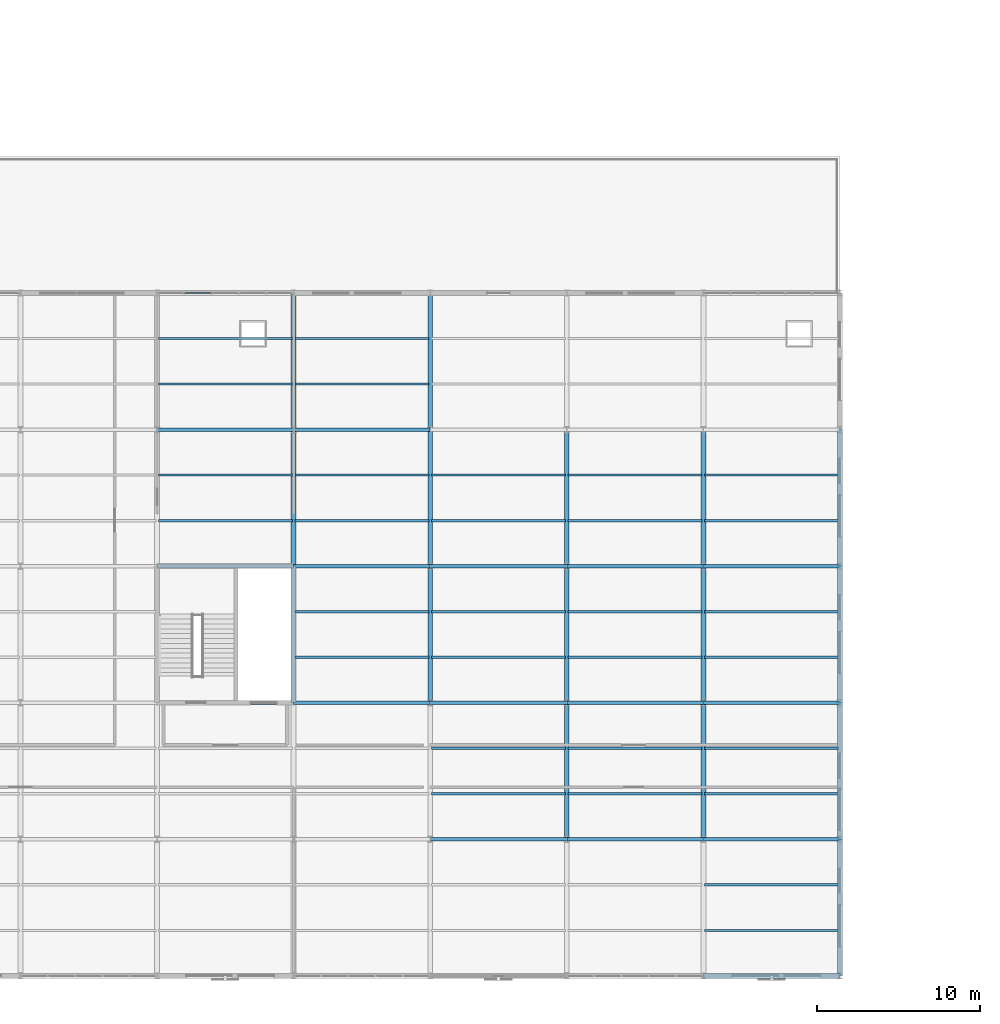
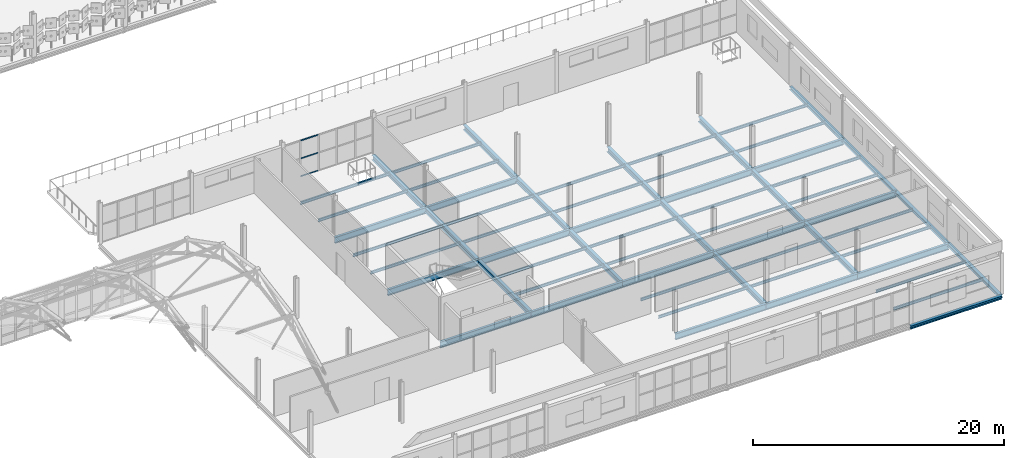
# One storey, part 123 of 184: 62 beams, 3 members, 1 element without a shape of its own.
"""IFC4 building model written with IfcOpenShell, lengths in metres."""

import ifcopenshell
import ifcopenshell.guid

model = None  # the IFC model being written
_history = None  # IfcOwnerHistory: only IFC2X3 demands one
_inside = {}  # id of a spatial element -> (the spatial element, [elements in it])
_under = {}  # id of a project, library or spatial element -> (it, [spatial elements below it])
_declared = {}  # id of a project -> (the project, [libraries it declares])
_typed = {}  # id of a type object -> (the type object, [elements of that type])
_made_of = {}  # id of a material, layer set ... -> (it, [elements and type objects made of it])


def new_model(schema):
    """Start an empty IFC model of exactly this schema.

    Asked for "IFC4X3", IfcOpenShell would pick the latest addendum, in which some entities
    have other attributes; the version numbers below select the first issue.
    IFC2X3 requires an IfcOwnerHistory on every rooted entity: one is made here for all.
    """
    global model, _history
    if schema == "IFC4X3":
        model = ifcopenshell.file(schema_version=(4, 3, 0, 0))
    else:
        model = ifcopenshell.file(schema=schema)
    _inside.clear()
    _under.clear()
    _declared.clear()
    _typed.clear()
    _made_of.clear()
    _history = None
    if model.schema == "IFC2X3":
        org = make("IfcOrganization", Name="unknown")
        user = make(
            "IfcPersonAndOrganization",
            ThePerson=make("IfcPerson", FamilyName="unknown"),
            TheOrganization=org,
        )
        app = make(
            "IfcApplication",
            ApplicationDeveloper=org,
            Version="unknown",
            ApplicationFullName="unknown",
            ApplicationIdentifier="unknown",
        )
        _history = make(
            "IfcOwnerHistory",
            OwningUser=user,
            OwningApplication=app,
            ChangeAction="ADDED",
            CreationDate=0,
        )
    return model


def make(cls, **values):
    """One entity of the class cls with the attributes given. An attribute that is None is left unset."""
    return model.create_entity(
        cls, **{name: value for name, value in values.items() if value is not None}
    )


def rooted(cls, **values):
    """An entity with a GlobalId (a new one), such as an element, a storey or a relation."""
    return make(cls, GlobalId=ifcopenshell.guid.new(), OwnerHistory=_history, **values)


def si_unit(unit_type, name, prefix=None):
    """IfcSIUnit, for example si_unit("LENGTHUNIT", "METRE", prefix="MILLI")."""
    return make("IfcSIUnit", UnitType=unit_type, Prefix=prefix, Name=name)


def assignment(units):
    """IfcUnitAssignment: the units of a project."""
    return None if units is None else make("IfcUnitAssignment", Units=units)


def point(xyz):
    """IfcCartesianPoint."""
    return None if xyz is None else make("IfcCartesianPoint", Coordinates=xyz)


def direction(xyz):
    """IfcDirection."""
    return None if xyz is None else make("IfcDirection", DirectionRatios=xyz)


def frame(location, z_axis=None, x_axis=None):
    """IfcAxis2Placement3D, a coordinate frame: its origin and axes. An axis left out is left unset."""
    return make(
        "IfcAxis2Placement3D",
        Location=point(location),
        Axis=direction(z_axis),
        RefDirection=direction(x_axis),
    )


def frame_2d(location, x_axis=None):
    """IfcAxis2Placement2D, a coordinate frame in the plane: its origin and x axis."""
    return make(
        "IfcAxis2Placement2D", Location=point(location), RefDirection=direction(x_axis)
    )


def origin():
    """The frame at (0, 0, 0) with its axes left unset."""
    return frame((0.0, 0.0, 0.0))


def origin_2d():
    """The frame at (0, 0) in the plane with its x axis left unset."""
    return frame_2d((0.0, 0.0))


def place(relative_to, where):
    """IfcLocalPlacement: puts the frame where relative to a parent placement (None: the world)."""
    return make(
        "IfcLocalPlacement", PlacementRelTo=relative_to, RelativePlacement=where
    )


def context(
    kind, dimensions, precision=None, world=None, true_north=None, identifier=None
):
    """IfcGeometricRepresentationContext, for example the 3D "Model" context."""
    return make(
        "IfcGeometricRepresentationContext",
        ContextIdentifier=identifier,
        ContextType=kind,
        CoordinateSpaceDimension=dimensions,
        Precision=precision,
        WorldCoordinateSystem=world,
        TrueNorth=true_north,
    )


def subcontext(parent, identifier, kind, view, scale=None):
    """IfcGeometricRepresentationSubContext, for example "Body" below "Model"."""
    return make(
        "IfcGeometricRepresentationSubContext",
        ContextIdentifier=identifier,
        ContextType=kind,
        ParentContext=parent,
        TargetScale=scale,
        TargetView=view,
    )


def project(units=None, contexts=None):
    """IfcProject with its units and contexts."""
    return rooted(
        "IfcProject",
        Name="project",
        RepresentationContexts=contexts,
        UnitsInContext=assignment(units),
    )


def spatial(cls, under=None, at=None, **own):
    """A site, building, storey or space (cls), placed at a placement, below another one or the project."""
    s = rooted(cls, ObjectPlacement=at, **own)
    if under is not None:
        _under.setdefault(under.id(), (under, []))[1].append(s)
    return s


def profile(cls, at=None, kind="AREA", **sizes):
    """A parametric profile (cls). Its sizes go by their IFC names, for example OverallWidth=200.0."""
    return make(cls, ProfileType=kind, Position=at, **sizes)


def hollow_rectangle(**sizes):
    """IfcRectangleHollowProfileDef."""
    return profile("IfcRectangleHollowProfileDef", **sizes)


def i_section(**sizes):
    """IfcIShapeProfileDef."""
    return profile("IfcIShapeProfileDef", **sizes)


def extrude(swept, where, along, depth):
    """IfcExtrudedAreaSolid: the profile swept, set in the frame where, extruded along a direction by depth."""
    return make(
        "IfcExtrudedAreaSolid",
        SweptArea=swept,
        Position=where,
        ExtrudedDirection=direction(along),
        Depth=depth,
    )


def shape(context_of_items, identifier, shape_type, items):
    """IfcShapeRepresentation: the items that make up one representation, for example the "Body"."""
    return make(
        "IfcShapeRepresentation",
        ContextOfItems=context_of_items,
        RepresentationIdentifier=identifier,
        RepresentationType=shape_type,
        Items=items,
    )


def material(Name=None, Category=None):
    """IfcMaterial."""
    return make("IfcMaterial", Name=Name, Category=Category)


def layer(
    of_material, thickness, ventilated=None, Name=None, Category=None, Priority=None
):
    """IfcMaterialLayer: one layer of a wall or slab, of a material (None: an air gap)."""
    return make(
        "IfcMaterialLayer",
        Material=of_material,
        LayerThickness=thickness,
        IsVentilated=ventilated,
        Name=Name,
        Category=Category,
        Priority=Priority,
    )


def layer_set(layers, Name=None):
    """IfcMaterialLayerSet."""
    return make("IfcMaterialLayerSet", MaterialLayers=layers, LayerSetName=Name)


def material_profile(
    of_material, cross_section, Name=None, Category=None, Priority=None
):
    """IfcMaterialProfile: a cross section and its material."""
    return make(
        "IfcMaterialProfile",
        Name=Name,
        Material=of_material,
        Profile=cross_section,
        Priority=Priority,
        Category=Category,
    )


def profile_set(profiles, Name=None, composite=None):
    """IfcMaterialProfileSet."""
    return make(
        "IfcMaterialProfileSet",
        Name=Name,
        MaterialProfiles=profiles,
        CompositeProfile=composite,
    )


def made_of(thing, what):
    """Note that an element or type object is made of a material, layer set ...; save() writes the relation."""
    if what is not None:
        _made_of.setdefault(what.id(), (what, []))[1].append(thing)
    return thing


def type_object(cls, material=None, **own):
    """A type object (cls), such as IfcWallType, which elements share."""
    return made_of(rooted(cls, **own), material)


def element(
    cls,
    number,
    at=None,
    inside=None,
    cuts=None,
    type_object=None,
    material=None,
    context=None,
    identifier="Body",
    shape_type=None,
    held_by="IfcProductDefinitionShape",
    body=None,
    shapes=None,
    **own,
):
    """One element of the class cls, such as IfcWall. Its Tag is "e" and its number.

    at: its placement. inside: the storey or other place that contains it. cuts: it is an
    opening in that element (IfcRelVoidsElement). A single representation is given by context,
    identifier, shape_type and body (its items); several are given by shapes. held_by: the class
    of the entity that holds the representations. save() writes the other relations.
    """
    e = rooted(cls, Tag="e%d" % number, ObjectPlacement=at, **own)
    if body is not None:
        shapes = [shape(context, identifier, shape_type, body)]
    if shapes is not None:
        e.Representation = make(held_by, Representations=shapes)
    if inside is not None:
        _inside.setdefault(inside.id(), (inside, []))[1].append(e)
    if cuts is not None:
        rooted(
            "IfcRelVoidsElement", RelatingBuildingElement=cuts, RelatedOpeningElement=e
        )
    if type_object is not None:
        _typed.setdefault(type_object.id(), (type_object, []))[1].append(e)
    return made_of(e, material)


def aggregate(whole, parts):
    """IfcRelAggregates: a whole, such as a stair, and the parts it consists of."""
    return rooted("IfcRelAggregates", RelatingObject=whole, RelatedObjects=parts)


def save(model, path):
    """Write the relations noted so far, then the file.

    IfcRelAggregates (storeys below a building ...), IfcRelContainedInSpatialStructure (elements
    in a storey), IfcRelDefinesByType, IfcRelAssociatesMaterial and IfcRelDeclares: one each for
    every whole, place, type object, material and project.
    """
    for whole, parts in _under.values():
        aggregate(whole, parts)
    for where, things in _inside.values():
        rooted(
            "IfcRelContainedInSpatialStructure",
            RelatedElements=things,
            RelatingStructure=where,
        )
    for kind, things in _typed.values():
        rooted("IfcRelDefinesByType", RelatedObjects=things, RelatingType=kind)
    for what, things in _made_of.values():
        rooted("IfcRelAssociatesMaterial", RelatedObjects=things, RelatingMaterial=what)
    for by, libraries in _declared.values():
        rooted("IfcRelDeclares", RelatingContext=by, RelatedDefinitions=libraries)
    model.write(path)


model = new_model("IFC4")

# Units and contexts
model_context = context("Model", 3, precision=1e-05, world=origin(), true_north=direction((0.0, 1.0)))
body_context = subcontext(model_context, "Body", "Model", "MODEL_VIEW")
ifc_project = project(units=[si_unit("LENGTHUNIT", "METRE"), si_unit("AREAUNIT", "SQUARE_METRE"), si_unit("VOLUMEUNIT", "CUBIC_METRE"), si_unit("PLANEANGLEUNIT", "RADIAN"), si_unit("MASSUNIT", "GRAM", prefix="KILO")], contexts=[model_context])

# Site, building, storey
site_placement = place(None, origin())
site = spatial("IfcSite", under=ifc_project, at=site_placement, CompositionType="ELEMENT")
building_placement = place(site_placement, origin())
building = spatial("IfcBuilding", under=site, at=building_placement, Name="Qalvenar Corner Mobility Hub", CompositionType="ELEMENT")
storey_placement = place(building_placement, frame((0.0, 0.0, 9.0)))
storey = spatial("IfcBuildingStorey", under=building, at=storey_placement, Name="L02", CompositionType="ELEMENT", Elevation=9.0)

# Beams
ifc_material_1 = material(Name="Steel S355", Category="steel")
ifc_material_profile_1 = material_profile(ifc_material_1, i_section(OverallWidth=0.300048828125, OverallDepth=0.489990234375, WebThickness=0.011962890625, FlangeThickness=0.02294921875, FilletRadius=0.027099609375, at=origin_2d()), Name="HEA500")
ifc_profile_set_1 = profile_set([ifc_material_profile_1], Name="Steel S355")
beam_type_1 = type_object("IfcBeamType", Name="BM-HEA500", PredefinedType="BEAM", material=ifc_profile_set_1)
beam_1_placement = place(storey_placement, frame((134.39990234375, 16.800048828125, -0.425048828125), z_axis=(0.0, 1.0, 0.0), x_axis=(-1.0, 0.0, 0.0)))
element("IfcBeam", 1, at=beam_1_placement, inside=storey, type_object=beam_type_1, Name="Primary Steel Girder GY-1728", PredefinedType="BEAM", context=body_context, shape_type="SweptSolid", body=[
    extrude(i_section(OverallWidth=0.300048828125, OverallDepth=0.489990234375, WebThickness=0.011962890625, FlangeThickness=0.02294921875, FilletRadius=0.027099609375, at=origin_2d()), origin(), (0.0, 0.0, 1.0), 8.39990234375),
])
beam_2_placement = place(storey_placement, frame((134.39990234375, 25.199951171875, -0.425048828125), z_axis=(0.0, 1.0, 0.0), x_axis=(-1.0, 0.0, 0.0)))
element("IfcBeam", 2, at=beam_2_placement, inside=storey, type_object=beam_type_1, Name="Primary Steel Girder GY-1729", PredefinedType="BEAM", context=body_context, shape_type="SweptSolid", body=[
    extrude(i_section(OverallWidth=0.300048828125, OverallDepth=0.489990234375, WebThickness=0.011962890625, FlangeThickness=0.02294921875, FilletRadius=0.027099609375, at=origin_2d()), origin(), (0.0, 0.0, 1.0), 8.400146484375),
])
for number, where, z_axis, x_axis, name in (
    (3, (134.39990234375, 33.60009765625, -0.425048828125), (0.0, 1.0, 0.0), (-1.0, 0.0, 0.0), "Primary Steel Girder GY-1730"),
    (4, (142.800048828125, 16.800048828125, -0.425048828125), (0.0, 1.0, 0.0), (-1.0, 0.0, 0.0), "Primary Steel Girder GY-1733"),
):
    element("IfcBeam", number, at=place(storey_placement, frame(where, z_axis=z_axis, x_axis=x_axis)), inside=storey, type_object=beam_type_1, Name=name, PredefinedType="BEAM", context=body_context, shape_type="SweptSolid", body=[
        extrude(i_section(OverallWidth=0.300048828125, OverallDepth=0.489990234375, WebThickness=0.011962890625, FlangeThickness=0.02294921875, FilletRadius=0.027099609375, at=origin_2d()), origin(), (0.0, 0.0, 1.0), 8.39990234375),
    ])
beam_3_placement = place(storey_placement, frame((142.800048828125, 25.199951171875, -0.425048828125), z_axis=(0.0, 1.0, 0.0), x_axis=(-1.0, 0.0, 0.0)))
element("IfcBeam", 5, at=beam_3_placement, inside=storey, type_object=beam_type_1, Name="Primary Steel Girder GY-1734", PredefinedType="BEAM", context=body_context, shape_type="SweptSolid", body=[
    extrude(i_section(OverallWidth=0.300048828125, OverallDepth=0.489990234375, WebThickness=0.011962890625, FlangeThickness=0.02294921875, FilletRadius=0.027099609375, at=origin_2d()), origin(), (0.0, 0.0, 1.0), 8.400146484375),
])
beam_4_placement = place(storey_placement, frame((142.800048828125, 33.60009765625, -0.425048828125), z_axis=(0.0, 1.0, 0.0), x_axis=(-1.0, 0.0, 0.0)))
element("IfcBeam", 6, at=beam_4_placement, inside=storey, type_object=beam_type_1, Name="Primary Steel Girder GY-1735", PredefinedType="BEAM", context=body_context, shape_type="SweptSolid", body=[
    extrude(i_section(OverallWidth=0.300048828125, OverallDepth=0.489990234375, WebThickness=0.011962890625, FlangeThickness=0.02294921875, FilletRadius=0.027099609375, at=origin_2d()), origin(), (0.0, 0.0, 1.0), 8.39990234375),
])
beam_5_placement = place(storey_placement, frame((151.199951171875, 8.39990234375, -0.425048828125), z_axis=(0.0, 1.0, 0.0), x_axis=(-1.0, 0.0, 0.0)))
element("IfcBeam", 7, at=beam_5_placement, inside=storey, type_object=beam_type_1, Name="Primary Steel Girder GY-1737", PredefinedType="BEAM", context=body_context, shape_type="SweptSolid", body=[
    extrude(i_section(OverallWidth=0.300048828125, OverallDepth=0.489990234375, WebThickness=0.011962890625, FlangeThickness=0.02294921875, FilletRadius=0.027099609375, at=origin_2d()), origin(), (0.0, 0.0, 1.0), 8.400146484375),
])
beam_6_placement = place(storey_placement, frame((151.199951171875, 16.800048828125, -0.425048828125), z_axis=(0.0, 1.0, 0.0), x_axis=(-1.0, 0.0, 0.0)))
element("IfcBeam", 8, at=beam_6_placement, inside=storey, type_object=beam_type_1, Name="Primary Steel Girder GY-1738", PredefinedType="BEAM", context=body_context, shape_type="SweptSolid", body=[
    extrude(i_section(OverallWidth=0.300048828125, OverallDepth=0.489990234375, WebThickness=0.011962890625, FlangeThickness=0.02294921875, FilletRadius=0.027099609375, at=origin_2d()), origin(), (0.0, 0.0, 1.0), 8.39990234375),
])
for number, where, z_axis, x_axis, name in (
    (9, (151.199951171875, 25.199951171875, -0.425048828125), (0.0, 1.0, 0.0), (-1.0, 0.0, 0.0), "Primary Steel Girder GY-1739"),
    (10, (159.60009765625, 8.39990234375, -0.425048828125), (0.0, 1.0, 0.0), (-1.0, 0.0, 0.0), "Primary Steel Girder GY-1742"),
):
    element("IfcBeam", number, at=place(storey_placement, frame(where, z_axis=z_axis, x_axis=x_axis)), inside=storey, type_object=beam_type_1, Name=name, PredefinedType="BEAM", context=body_context, shape_type="SweptSolid", body=[
        extrude(i_section(OverallWidth=0.300048828125, OverallDepth=0.489990234375, WebThickness=0.011962890625, FlangeThickness=0.02294921875, FilletRadius=0.027099609375, at=origin_2d()), origin(), (0.0, 0.0, 1.0), 8.400146484375),
    ])
beam_7_placement = place(storey_placement, frame((159.60009765625, 16.800048828125, -0.425048828125), z_axis=(0.0, 1.0, 0.0), x_axis=(-1.0, 0.0, 0.0)))
element("IfcBeam", 11, at=beam_7_placement, inside=storey, type_object=beam_type_1, Name="Primary Steel Girder GY-1743", PredefinedType="BEAM", context=body_context, shape_type="SweptSolid", body=[
    extrude(i_section(OverallWidth=0.300048828125, OverallDepth=0.489990234375, WebThickness=0.011962890625, FlangeThickness=0.02294921875, FilletRadius=0.027099609375, at=origin_2d()), origin(), (0.0, 0.0, 1.0), 8.39990234375),
])
beam_8_placement = place(storey_placement, frame((159.60009765625, 25.199951171875, -0.425048828125), z_axis=(0.0, 1.0, 0.0), x_axis=(-1.0, 0.0, 0.0)))
element("IfcBeam", 12, at=beam_8_placement, inside=storey, type_object=beam_type_1, Name="Primary Steel Girder GY-1744", PredefinedType="BEAM", context=body_context, shape_type="SweptSolid", body=[
    extrude(i_section(OverallWidth=0.300048828125, OverallDepth=0.489990234375, WebThickness=0.011962890625, FlangeThickness=0.02294921875, FilletRadius=0.027099609375, at=origin_2d()), origin(), (0.0, 0.0, 1.0), 8.400146484375),
])
ifc_material_profile_2 = material_profile(ifc_material_1, i_section(OverallWidth=0.219970703125, OverallDepth=0.60009765625, WebThickness=0.011962890625, FlangeThickness=0.01904296875, FilletRadius=0.02392578125, at=origin_2d()), Name="IPE600")
ifc_profile_set_2 = profile_set([ifc_material_profile_2], Name="Steel S355")
beam_type_2 = type_object("IfcBeamType", Name="BM-IPE600", PredefinedType="BEAM", material=ifc_profile_set_2)
beam_9_placement = place(storey_placement, frame((142.800048828125, 8.39990234375, -0.47998046875), z_axis=(1.0, 0.0, 0.0), x_axis=(0.0, 1.0, 0.0)))
element("IfcBeam", 13, at=beam_9_placement, inside=storey, type_object=beam_type_2, Name="Primary Steel Girder GX-1680", PredefinedType="BEAM", context=body_context, shape_type="SweptSolid", body=[
    extrude(i_section(OverallWidth=0.219970703125, OverallDepth=0.60009765625, WebThickness=0.011962890625, FlangeThickness=0.01904296875, FilletRadius=0.02392578125, at=origin_2d()), origin(), (0.0, 0.0, 1.0), 8.39990234375),
])
beam_10_placement = place(storey_placement, frame((151.199951171875, 8.39990234375, -0.47998046875), z_axis=(1.0, 0.0, 0.0), x_axis=(0.0, 1.0, 0.0)))
element("IfcBeam", 14, at=beam_10_placement, inside=storey, type_object=beam_type_2, Name="Primary Steel Girder GX-1681", PredefinedType="BEAM", context=body_context, shape_type="SweptSolid", body=[
    extrude(i_section(OverallWidth=0.219970703125, OverallDepth=0.60009765625, WebThickness=0.011962890625, FlangeThickness=0.01904296875, FilletRadius=0.02392578125, at=origin_2d()), origin(), (0.0, 0.0, 1.0), 8.400146484375),
])
for number, where, z_axis, x_axis, name in (
    (15, (159.60009765625, 8.39990234375, -0.47998046875), (1.0, 0.0, 0.0), (0.0, 1.0, 0.0), "Primary Steel Girder GX-1682"),
    (16, (126.0, 16.800048828125, -0.47998046875), (1.0, 0.0, 0.0), (0.0, 1.0, 0.0), "Primary Steel Girder GX-1685"),
):
    element("IfcBeam", number, at=place(storey_placement, frame(where, z_axis=z_axis, x_axis=x_axis)), inside=storey, type_object=beam_type_2, Name=name, PredefinedType="BEAM", context=body_context, shape_type="SweptSolid", body=[
        extrude(i_section(OverallWidth=0.219970703125, OverallDepth=0.60009765625, WebThickness=0.011962890625, FlangeThickness=0.01904296875, FilletRadius=0.02392578125, at=origin_2d()), origin(), (0.0, 0.0, 1.0), 8.39990234375),
    ])
beam_11_placement = place(storey_placement, frame((134.39990234375, 16.800048828125, -0.47998046875), z_axis=(1.0, 0.0, 0.0), x_axis=(0.0, 1.0, 0.0)))
element("IfcBeam", 17, at=beam_11_placement, inside=storey, type_object=beam_type_2, Name="Primary Steel Girder GX-1686", PredefinedType="BEAM", context=body_context, shape_type="SweptSolid", body=[
    extrude(i_section(OverallWidth=0.219970703125, OverallDepth=0.60009765625, WebThickness=0.011962890625, FlangeThickness=0.01904296875, FilletRadius=0.02392578125, at=origin_2d()), origin(), (0.0, 0.0, 1.0), 8.400146484375),
])
beam_12_placement = place(storey_placement, frame((142.800048828125, 16.800048828125, -0.47998046875), z_axis=(1.0, 0.0, 0.0), x_axis=(0.0, 1.0, 0.0)))
element("IfcBeam", 18, at=beam_12_placement, inside=storey, type_object=beam_type_2, Name="Primary Steel Girder GX-1687", PredefinedType="BEAM", context=body_context, shape_type="SweptSolid", body=[
    extrude(i_section(OverallWidth=0.219970703125, OverallDepth=0.60009765625, WebThickness=0.011962890625, FlangeThickness=0.01904296875, FilletRadius=0.02392578125, at=origin_2d()), origin(), (0.0, 0.0, 1.0), 8.39990234375),
])
beam_13_placement = place(storey_placement, frame((151.199951171875, 16.800048828125, -0.47998046875), z_axis=(1.0, 0.0, 0.0), x_axis=(0.0, 1.0, 0.0)))
element("IfcBeam", 19, at=beam_13_placement, inside=storey, type_object=beam_type_2, Name="Primary Steel Girder GX-1688", PredefinedType="BEAM", context=body_context, shape_type="SweptSolid", body=[
    extrude(i_section(OverallWidth=0.219970703125, OverallDepth=0.60009765625, WebThickness=0.011962890625, FlangeThickness=0.01904296875, FilletRadius=0.02392578125, at=origin_2d()), origin(), (0.0, 0.0, 1.0), 8.400146484375),
])
for number, where, z_axis, x_axis, name in (
    (20, (159.60009765625, 16.800048828125, -0.47998046875), (1.0, 0.0, 0.0), (0.0, 1.0, 0.0), "Primary Steel Girder GX-1689"),
    (21, (126.0, 25.199951171875, -0.47998046875), (1.0, 0.0, 0.0), (0.0, 1.0, 0.0), "Primary Steel Girder GX-1692"),
):
    element("IfcBeam", number, at=place(storey_placement, frame(where, z_axis=z_axis, x_axis=x_axis)), inside=storey, type_object=beam_type_2, Name=name, PredefinedType="BEAM", context=body_context, shape_type="SweptSolid", body=[
        extrude(i_section(OverallWidth=0.219970703125, OverallDepth=0.60009765625, WebThickness=0.011962890625, FlangeThickness=0.01904296875, FilletRadius=0.02392578125, at=origin_2d()), origin(), (0.0, 0.0, 1.0), 8.39990234375),
    ])
beam_14_placement = place(storey_placement, frame((134.39990234375, 25.199951171875, -0.47998046875), z_axis=(1.0, 0.0, 0.0), x_axis=(0.0, 1.0, 0.0)))
element("IfcBeam", 22, at=beam_14_placement, inside=storey, type_object=beam_type_2, Name="Primary Steel Girder GX-1693", PredefinedType="BEAM", context=body_context, shape_type="SweptSolid", body=[
    extrude(i_section(OverallWidth=0.219970703125, OverallDepth=0.60009765625, WebThickness=0.011962890625, FlangeThickness=0.01904296875, FilletRadius=0.02392578125, at=origin_2d()), origin(), (0.0, 0.0, 1.0), 8.400146484375),
])
beam_15_placement = place(storey_placement, frame((142.800048828125, 25.199951171875, -0.47998046875), z_axis=(1.0, 0.0, 0.0), x_axis=(0.0, 1.0, 0.0)))
element("IfcBeam", 23, at=beam_15_placement, inside=storey, type_object=beam_type_2, Name="Primary Steel Girder GX-1694", PredefinedType="BEAM", context=body_context, shape_type="SweptSolid", body=[
    extrude(i_section(OverallWidth=0.219970703125, OverallDepth=0.60009765625, WebThickness=0.011962890625, FlangeThickness=0.01904296875, FilletRadius=0.02392578125, at=origin_2d()), origin(), (0.0, 0.0, 1.0), 8.39990234375),
])
beam_16_placement = place(storey_placement, frame((151.199951171875, 25.199951171875, -0.47998046875), z_axis=(1.0, 0.0, 0.0), x_axis=(0.0, 1.0, 0.0)))
element("IfcBeam", 24, at=beam_16_placement, inside=storey, type_object=beam_type_2, Name="Primary Steel Girder GX-1695", PredefinedType="BEAM", context=body_context, shape_type="SweptSolid", body=[
    extrude(i_section(OverallWidth=0.219970703125, OverallDepth=0.60009765625, WebThickness=0.011962890625, FlangeThickness=0.01904296875, FilletRadius=0.02392578125, at=origin_2d()), origin(), (0.0, 0.0, 1.0), 8.400146484375),
])
for number, where, z_axis, x_axis, name in (
    (25, (159.60009765625, 25.199951171875, -0.47998046875), (1.0, 0.0, 0.0), (0.0, 1.0, 0.0), "Primary Steel Girder GX-1696"),
    (26, (126.0, 33.60009765625, -0.47998046875), (1.0, 0.0, 0.0), (0.0, 1.0, 0.0), "Primary Steel Girder GX-1699"),
):
    element("IfcBeam", number, at=place(storey_placement, frame(where, z_axis=z_axis, x_axis=x_axis)), inside=storey, type_object=beam_type_2, Name=name, PredefinedType="BEAM", context=body_context, shape_type="SweptSolid", body=[
        extrude(i_section(OverallWidth=0.219970703125, OverallDepth=0.60009765625, WebThickness=0.011962890625, FlangeThickness=0.01904296875, FilletRadius=0.02392578125, at=origin_2d()), origin(), (0.0, 0.0, 1.0), 8.39990234375),
    ])
beam_17_placement = place(storey_placement, frame((134.39990234375, 33.60009765625, -0.47998046875), z_axis=(1.0, 0.0, 0.0), x_axis=(0.0, 1.0, 0.0)))
element("IfcBeam", 27, at=beam_17_placement, inside=storey, type_object=beam_type_2, Name="Primary Steel Girder GX-1700", PredefinedType="BEAM", context=body_context, shape_type="SweptSolid", body=[
    extrude(i_section(OverallWidth=0.219970703125, OverallDepth=0.60009765625, WebThickness=0.011962890625, FlangeThickness=0.01904296875, FilletRadius=0.02392578125, at=origin_2d()), origin(), (0.0, 0.0, 1.0), 8.400146484375),
])
ifc_material_profile_3 = material_profile(ifc_material_1, i_section(OverallWidth=0.135009765625, OverallDepth=0.27001953125, WebThickness=0.006591796875, FlangeThickness=0.01025390625, FilletRadius=0.014892578125, at=origin_2d()), Name="IPE270")
ifc_profile_set_3 = profile_set([ifc_material_profile_3], Name="Steel S355")
beam_type_3 = type_object("IfcBeamType", Name="BM-JST270", PredefinedType="JOIST", material=ifc_profile_set_3)
for number, where, z_axis, x_axis, name in (
    (28, (126.077880859375, 28.0, -0.31494140625), (1.0, 0.0, 0.0), (0.0, 1.0, 0.0), "Composite Floor Joist J-1775"),
    (29, (126.077880859375, 30.800048828125, -0.31494140625), (1.0, 0.0, 0.0), (0.0, 1.0, 0.0), "Composite Floor Joist J-1776"),
    (30, (126.077880859375, 36.39990234375, -0.31494140625), (1.0, 0.0, 0.0), (0.0, 1.0, 0.0), "Composite Floor Joist J-1777"),
    (31, (126.077880859375, 39.199951171875, -0.31494140625), (1.0, 0.0, 0.0), (0.0, 1.0, 0.0), "Composite Floor Joist J-1778"),
):
    element("IfcBeam", number, at=place(storey_placement, frame(where, z_axis=z_axis, x_axis=x_axis)), inside=storey, type_object=beam_type_3, Name=name, PredefinedType="JOIST", context=body_context, shape_type="SweptSolid", body=[
        extrude(i_section(OverallWidth=0.135009765625, OverallDepth=0.27001953125, WebThickness=0.006591796875, FlangeThickness=0.01025390625, FilletRadius=0.014892578125, at=origin_2d()), origin(), (0.0, 0.0, 1.0), 8.244140625),
    ])
for number, where, z_axis, x_axis, name in (
    (32, (134.47802734375, 19.60009765625, -0.31494140625), (1.0, 0.0, 0.0), (0.0, 1.0, 0.0), "Composite Floor Joist J-1783"),
    (33, (134.47802734375, 22.39990234375, -0.31494140625), (1.0, 0.0, 0.0), (0.0, 1.0, 0.0), "Composite Floor Joist J-1784"),
    (34, (134.47802734375, 28.0, -0.31494140625), (1.0, 0.0, 0.0), (0.0, 1.0, 0.0), "Composite Floor Joist J-1785"),
    (35, (134.47802734375, 30.800048828125, -0.31494140625), (1.0, 0.0, 0.0), (0.0, 1.0, 0.0), "Composite Floor Joist J-1786"),
    (36, (134.47802734375, 36.39990234375, -0.31494140625), (1.0, 0.0, 0.0), (0.0, 1.0, 0.0), "Composite Floor Joist J-1787"),
    (37, (134.47802734375, 39.199951171875, -0.31494140625), (1.0, 0.0, 0.0), (0.0, 1.0, 0.0), "Composite Floor Joist J-1788"),
):
    element("IfcBeam", number, at=place(storey_placement, frame(where, z_axis=z_axis, x_axis=x_axis)), inside=storey, type_object=beam_type_3, Name=name, PredefinedType="JOIST", context=body_context, shape_type="SweptSolid", body=[
        extrude(i_section(OverallWidth=0.135009765625, OverallDepth=0.27001953125, WebThickness=0.006591796875, FlangeThickness=0.01025390625, FilletRadius=0.014892578125, at=origin_2d()), origin(), (0.0, 0.0, 1.0), 8.243896484375),
    ])
for number, where, z_axis, x_axis, name in (
    (38, (142.8779296875, 11.199951171875, -0.31494140625), (1.0, 0.0, 0.0), (0.0, 1.0, 0.0), "Composite Floor Joist J-1791"),
    (39, (142.8779296875, 14.0, -0.31494140625), (1.0, 0.0, 0.0), (0.0, 1.0, 0.0), "Composite Floor Joist J-1792"),
    (40, (142.8779296875, 19.60009765625, -0.31494140625), (1.0, 0.0, 0.0), (0.0, 1.0, 0.0), "Composite Floor Joist J-1793"),
    (41, (142.8779296875, 22.39990234375, -0.31494140625), (1.0, 0.0, 0.0), (0.0, 1.0, 0.0), "Composite Floor Joist J-1794"),
    (42, (142.8779296875, 28.0, -0.31494140625), (1.0, 0.0, 0.0), (0.0, 1.0, 0.0), "Composite Floor Joist J-1795"),
    (43, (142.8779296875, 30.800048828125, -0.31494140625), (1.0, 0.0, 0.0), (0.0, 1.0, 0.0), "Composite Floor Joist J-1796"),
):
    element("IfcBeam", number, at=place(storey_placement, frame(where, z_axis=z_axis, x_axis=x_axis)), inside=storey, type_object=beam_type_3, Name=name, PredefinedType="JOIST", context=body_context, shape_type="SweptSolid", body=[
        extrude(i_section(OverallWidth=0.135009765625, OverallDepth=0.27001953125, WebThickness=0.006591796875, FlangeThickness=0.01025390625, FilletRadius=0.014892578125, at=origin_2d()), origin(), (0.0, 0.0, 1.0), 8.244140625),
    ])
for number, where, z_axis, x_axis, name in (
    (44, (151.278076171875, 11.199951171875, -0.31494140625), (1.0, 0.0, 0.0), (0.0, 1.0, 0.0), "Composite Floor Joist J-1801"),
    (45, (151.278076171875, 14.0, -0.31494140625), (1.0, 0.0, 0.0), (0.0, 1.0, 0.0), "Composite Floor Joist J-1802"),
    (46, (151.278076171875, 19.60009765625, -0.31494140625), (1.0, 0.0, 0.0), (0.0, 1.0, 0.0), "Composite Floor Joist J-1803"),
    (47, (151.278076171875, 22.39990234375, -0.31494140625), (1.0, 0.0, 0.0), (0.0, 1.0, 0.0), "Composite Floor Joist J-1804"),
    (48, (151.278076171875, 28.0, -0.31494140625), (1.0, 0.0, 0.0), (0.0, 1.0, 0.0), "Composite Floor Joist J-1805"),
    (49, (151.278076171875, 30.800048828125, -0.31494140625), (1.0, 0.0, 0.0), (0.0, 1.0, 0.0), "Composite Floor Joist J-1806"),
):
    element("IfcBeam", number, at=place(storey_placement, frame(where, z_axis=z_axis, x_axis=x_axis)), inside=storey, type_object=beam_type_3, Name=name, PredefinedType="JOIST", context=body_context, shape_type="SweptSolid", body=[
        extrude(i_section(OverallWidth=0.135009765625, OverallDepth=0.27001953125, WebThickness=0.006591796875, FlangeThickness=0.01025390625, FilletRadius=0.014892578125, at=origin_2d()), origin(), (0.0, 0.0, 1.0), 8.243896484375),
    ])
for number, where, z_axis, x_axis, name in (
    (50, (159.677978515625, 2.800048828125, -0.31494140625), (1.0, 0.0, 0.0), (0.0, 1.0, 0.0), "Composite Floor Joist J-1809"),
    (51, (159.677978515625, 5.60009765625, -0.31494140625), (1.0, 0.0, 0.0), (0.0, 1.0, 0.0), "Composite Floor Joist J-1810"),
    (52, (159.677978515625, 11.199951171875, -0.31494140625), (1.0, 0.0, 0.0), (0.0, 1.0, 0.0), "Composite Floor Joist J-1811"),
    (53, (159.677978515625, 14.0, -0.31494140625), (1.0, 0.0, 0.0), (0.0, 1.0, 0.0), "Composite Floor Joist J-1812"),
    (54, (159.677978515625, 19.60009765625, -0.31494140625), (1.0, 0.0, 0.0), (0.0, 1.0, 0.0), "Composite Floor Joist J-1813"),
    (55, (159.677978515625, 22.39990234375, -0.31494140625), (1.0, 0.0, 0.0), (0.0, 1.0, 0.0), "Composite Floor Joist J-1814"),
    (56, (159.677978515625, 28.0, -0.31494140625), (1.0, 0.0, 0.0), (0.0, 1.0, 0.0), "Composite Floor Joist J-1815"),
    (57, (159.677978515625, 30.800048828125, -0.31494140625), (1.0, 0.0, 0.0), (0.0, 1.0, 0.0), "Composite Floor Joist J-1816"),
):
    element("IfcBeam", number, at=place(storey_placement, frame(where, z_axis=z_axis, x_axis=x_axis)), inside=storey, type_object=beam_type_3, Name=name, PredefinedType="JOIST", context=body_context, shape_type="SweptSolid", body=[
        extrude(i_section(OverallWidth=0.135009765625, OverallDepth=0.27001953125, WebThickness=0.006591796875, FlangeThickness=0.01025390625, FilletRadius=0.014892578125, at=origin_2d()), origin(), (0.0, 0.0, 1.0), 8.244140625),
    ])
ifc_material_profile_4 = material_profile(ifc_material_1, i_section(OverallWidth=0.300048828125, OverallDepth=0.2900390625, WebThickness=0.008544921875, FlangeThickness=0.013916015625, FilletRadius=0.027099609375, at=origin_2d()), Name="HEA300")
ifc_profile_set_4 = profile_set([ifc_material_profile_4], Name="Steel S355")
beam_type_4 = type_object("IfcBeamType", Name="BM-SPN300", PredefinedType="SPANDREL", material=ifc_profile_set_4)
beam_18_placement = place(storey_placement, frame((168.0, 0.0, -0.324951171875), z_axis=(0.0, 1.0, 0.0), x_axis=(-1.0, 0.0, 0.0)))
element("IfcBeam", 58, at=beam_18_placement, inside=storey, type_object=beam_type_4, Name="Primary Steel Girder GY-1746", PredefinedType="SPANDREL", context=body_context, shape_type="SweptSolid", body=[
    extrude(i_section(OverallWidth=0.300048828125, OverallDepth=0.2900390625, WebThickness=0.008544921875, FlangeThickness=0.013916015625, FilletRadius=0.027099609375, at=origin_2d()), origin(), (0.0, 0.0, 1.0), 8.39990234375),
])
beam_19_placement = place(storey_placement, frame((168.0, 8.39990234375, -0.324951171875), z_axis=(0.0, 1.0, 0.0), x_axis=(-1.0, 0.0, 0.0)))
element("IfcBeam", 59, at=beam_19_placement, inside=storey, type_object=beam_type_4, Name="Primary Steel Girder GY-1747", PredefinedType="SPANDREL", context=body_context, shape_type="SweptSolid", body=[
    extrude(i_section(OverallWidth=0.300048828125, OverallDepth=0.2900390625, WebThickness=0.008544921875, FlangeThickness=0.013916015625, FilletRadius=0.027099609375, at=origin_2d()), origin(), (0.0, 0.0, 1.0), 8.400146484375),
])
beam_20_placement = place(storey_placement, frame((168.0, 16.800048828125, -0.324951171875), z_axis=(0.0, 1.0, 0.0), x_axis=(-1.0, 0.0, 0.0)))
element("IfcBeam", 60, at=beam_20_placement, inside=storey, type_object=beam_type_4, Name="Primary Steel Girder GY-1748", PredefinedType="SPANDREL", context=body_context, shape_type="SweptSolid", body=[
    extrude(i_section(OverallWidth=0.300048828125, OverallDepth=0.2900390625, WebThickness=0.008544921875, FlangeThickness=0.013916015625, FilletRadius=0.027099609375, at=origin_2d()), origin(), (0.0, 0.0, 1.0), 8.39990234375),
])
beam_21_placement = place(storey_placement, frame((168.0, 25.199951171875, -0.324951171875), z_axis=(0.0, 1.0, 0.0), x_axis=(-1.0, 0.0, 0.0)))
element("IfcBeam", 61, at=beam_21_placement, inside=storey, type_object=beam_type_4, Name="Primary Steel Girder GY-1749", PredefinedType="SPANDREL", context=body_context, shape_type="SweptSolid", body=[
    extrude(i_section(OverallWidth=0.300048828125, OverallDepth=0.2900390625, WebThickness=0.008544921875, FlangeThickness=0.013916015625, FilletRadius=0.027099609375, at=origin_2d()), origin(), (0.0, 0.0, 1.0), 8.400146484375),
])
ifc_material_profile_5 = material_profile(ifc_material_1, i_section(OverallWidth=0.300048828125, OverallDepth=0.31005859375, WebThickness=0.009033203125, FlangeThickness=0.015380859375, FilletRadius=0.027099609375, at=origin_2d()), Name="HEA320")
ifc_profile_set_5 = profile_set([ifc_material_profile_5], Name="Steel S355")
beam_type_5 = type_object("IfcBeamType", Name="BM-SPN320", PredefinedType="SPANDREL", material=ifc_profile_set_5)
beam_22_placement = place(storey_placement, frame((159.60009765625, 0.0, -0.3349609375), z_axis=(1.0, 0.0, 0.0), x_axis=(0.0, 1.0, 0.0)))
element("IfcBeam", 62, at=beam_22_placement, inside=storey, type_object=beam_type_5, Name="Primary Steel Girder GX-1675", PredefinedType="SPANDREL", context=body_context, shape_type="SweptSolid", body=[
    extrude(i_section(OverallWidth=0.300048828125, OverallDepth=0.31005859375, WebThickness=0.009033203125, FlangeThickness=0.015380859375, FilletRadius=0.027099609375, at=origin_2d()), origin(), (0.0, 0.0, 1.0), 8.39990234375),
])

# Curtain wall, members
ifc_material_2 = material(Name="Anodised Aluminium and Low-E Glazing", Category="aluminium")
ifc_layer = layer(ifc_material_2, 0.14990234375)
ifc_layer_set = layer_set([ifc_layer], Name="Anodised Aluminium and Low-E Glazing")
curtain_wall_type = type_object("IfcCurtainWallType", Name="CW-WKS-84X44", PredefinedType="NOTDEFINED", material=ifc_layer_set)
curtain_wall_placement = place(storey_placement, origin())
curtain_wall = element("IfcCurtainWall", 63, at=curtain_wall_placement, inside=storey, type_object=curtain_wall_type, Name="Glazed Curtain Wall CW-V6-L02-N2", PredefinedType="NOTDEFINED")
ifc_material_3 = material(Name="Anodised Aluminium 6063-T6", Category="aluminium")
ifc_material_profile_6 = material_profile(ifc_material_3, hollow_rectangle(XDim=0.054931640625, YDim=0.1201171875, WallThickness=0.00341796875, InnerFilletRadius=0.00341796875, OuterFilletRadius=0.007080078125, at=origin_2d()), Name="RHS120x55x3.5")
ifc_profile_set_6 = profile_set([ifc_material_profile_6], Name="Anodised Aluminium 6063-T6")
member_type = type_object("IfcMemberType", Name="CW-TRN120", PredefinedType="USERDEFINED", material=ifc_profile_set_6)
member_1_placement = place(storey_placement, frame((129.330078125, 42.0, 0.027587890625), z_axis=(-1.0, 0.0, 0.0), x_axis=(0.0, -1.0, 0.0)))
member_1 = element("IfcMember", 64, at=member_1_placement, type_object=member_type, Name="CW-09 transom 4.1", ObjectType="TRANSOM", PredefinedType="USERDEFINED", context=body_context, shape_type="SweptSolid", body=[
    extrude(hollow_rectangle(XDim=0.054931640625, YDim=0.1201171875, WallThickness=0.00341796875, InnerFilletRadius=0.00341796875, OuterFilletRadius=0.007080078125, at=origin_2d()), origin(), (0.0, 0.0, 1.0), 1.6201171875),
])
member_2_placement = place(storey_placement, frame((129.330078125, 42.0, 1.764892578125), z_axis=(-1.0, 0.0, 0.0), x_axis=(0.0, -1.0, 0.0)))
member_2 = element("IfcMember", 65, at=member_2_placement, type_object=member_type, Name="CW-09 transom 4.2", ObjectType="TRANSOM", PredefinedType="USERDEFINED", context=body_context, shape_type="SweptSolid", body=[
    extrude(hollow_rectangle(XDim=0.054931640625, YDim=0.1201171875, WallThickness=0.00341796875, InnerFilletRadius=0.00341796875, OuterFilletRadius=0.007080078125, at=origin_2d()), origin(), (0.0, 0.0, 1.0), 1.6201171875),
])
member_3_placement = place(storey_placement, frame((129.330078125, 42.0, 3.50244140625), z_axis=(-1.0, 0.0, 0.0), x_axis=(0.0, -1.0, 0.0)))
member_3 = element("IfcMember", 66, at=member_3_placement, type_object=member_type, Name="CW-09 transom 4.3", ObjectType="TRANSOM", PredefinedType="USERDEFINED", context=body_context, shape_type="SweptSolid", body=[
    extrude(hollow_rectangle(XDim=0.054931640625, YDim=0.1201171875, WallThickness=0.00341796875, InnerFilletRadius=0.00341796875, OuterFilletRadius=0.007080078125, at=origin_2d()), origin(), (0.0, 0.0, 1.0), 1.6201171875),
])
aggregate(curtain_wall, [member_1, member_2, member_3])

save(model, "model.ifc")
